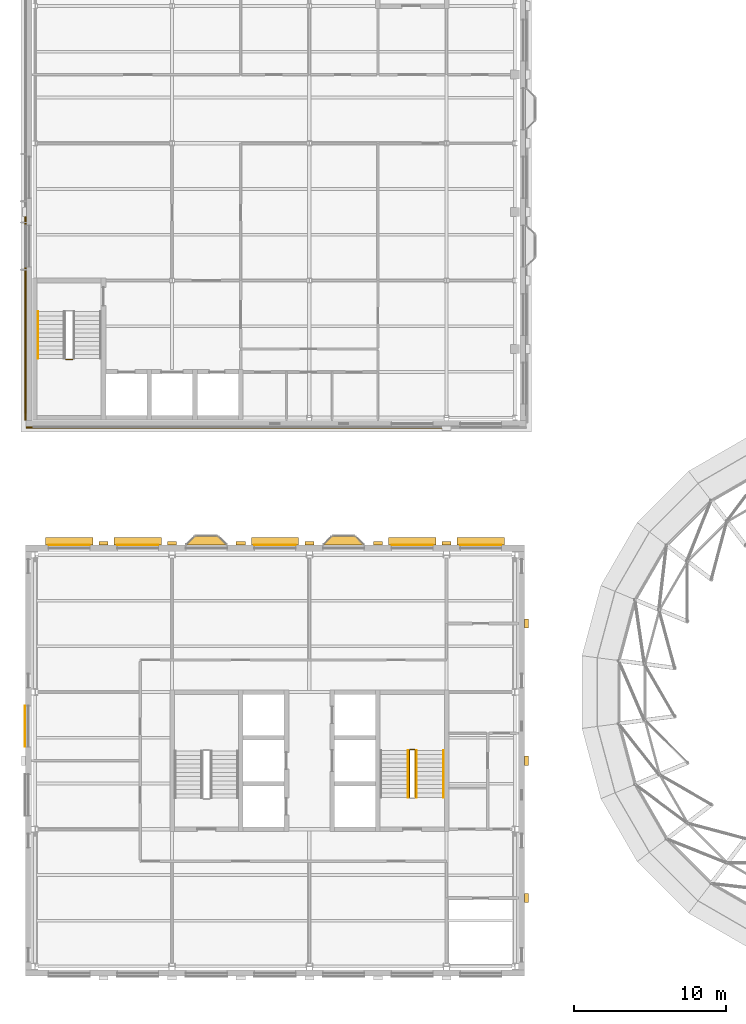
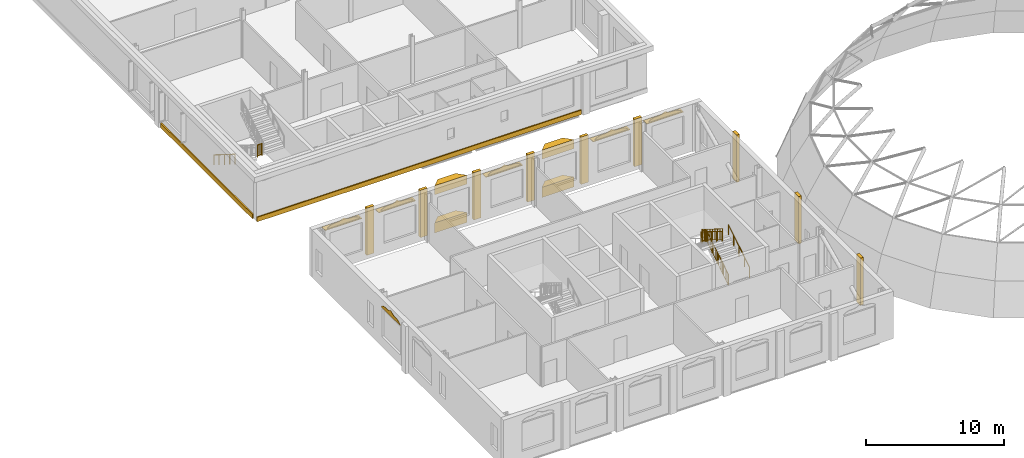
# One storey, part 59 of 62: 21 coverings, 8 railings, 5 shading devices.
"""IFC4 building model written with IfcOpenShell, lengths in metres."""

import ifcopenshell
import ifcopenshell.guid

model = None  # the IFC model being written
_history = None  # IfcOwnerHistory: only IFC2X3 demands one
_inside = {}  # id of a spatial element -> (the spatial element, [elements in it])
_under = {}  # id of a project, library or spatial element -> (it, [spatial elements below it])
_declared = {}  # id of a project -> (the project, [libraries it declares])
_typed = {}  # id of a type object -> (the type object, [elements of that type])
_made_of = {}  # id of a material, layer set ... -> (it, [elements and type objects made of it])


def new_model(schema):
    """Start an empty IFC model of exactly this schema.

    Asked for "IFC4X3", IfcOpenShell would pick the latest addendum, in which some entities
    have other attributes; the version numbers below select the first issue.
    IFC2X3 requires an IfcOwnerHistory on every rooted entity: one is made here for all.
    """
    global model, _history
    if schema == "IFC4X3":
        model = ifcopenshell.file(schema_version=(4, 3, 0, 0))
    else:
        model = ifcopenshell.file(schema=schema)
    _inside.clear()
    _under.clear()
    _declared.clear()
    _typed.clear()
    _made_of.clear()
    _history = None
    if model.schema == "IFC2X3":
        org = make("IfcOrganization", Name="unknown")
        user = make(
            "IfcPersonAndOrganization",
            ThePerson=make("IfcPerson", FamilyName="unknown"),
            TheOrganization=org,
        )
        app = make(
            "IfcApplication",
            ApplicationDeveloper=org,
            Version="unknown",
            ApplicationFullName="unknown",
            ApplicationIdentifier="unknown",
        )
        _history = make(
            "IfcOwnerHistory",
            OwningUser=user,
            OwningApplication=app,
            ChangeAction="ADDED",
            CreationDate=0,
        )
    return model


def make(cls, **values):
    """One entity of the class cls with the attributes given. An attribute that is None is left unset."""
    return model.create_entity(
        cls, **{name: value for name, value in values.items() if value is not None}
    )


def rooted(cls, **values):
    """An entity with a GlobalId (a new one), such as an element, a storey or a relation."""
    return make(cls, GlobalId=ifcopenshell.guid.new(), OwnerHistory=_history, **values)


def si_unit(unit_type, name, prefix=None):
    """IfcSIUnit, for example si_unit("LENGTHUNIT", "METRE", prefix="MILLI")."""
    return make("IfcSIUnit", UnitType=unit_type, Prefix=prefix, Name=name)


def assignment(units):
    """IfcUnitAssignment: the units of a project."""
    return None if units is None else make("IfcUnitAssignment", Units=units)


def point(xyz):
    """IfcCartesianPoint."""
    return None if xyz is None else make("IfcCartesianPoint", Coordinates=xyz)


def direction(xyz):
    """IfcDirection."""
    return None if xyz is None else make("IfcDirection", DirectionRatios=xyz)


def frame(location, z_axis=None, x_axis=None):
    """IfcAxis2Placement3D, a coordinate frame: its origin and axes. An axis left out is left unset."""
    return make(
        "IfcAxis2Placement3D",
        Location=point(location),
        Axis=direction(z_axis),
        RefDirection=direction(x_axis),
    )


def frame_2d(location, x_axis=None):
    """IfcAxis2Placement2D, a coordinate frame in the plane: its origin and x axis."""
    return make(
        "IfcAxis2Placement2D", Location=point(location), RefDirection=direction(x_axis)
    )


def origin():
    """The frame at (0, 0, 0) with its axes left unset."""
    return frame((0.0, 0.0, 0.0))


def origin_2d():
    """The frame at (0, 0) in the plane with its x axis left unset."""
    return frame_2d((0.0, 0.0))


def place(relative_to, where):
    """IfcLocalPlacement: puts the frame where relative to a parent placement (None: the world)."""
    return make(
        "IfcLocalPlacement", PlacementRelTo=relative_to, RelativePlacement=where
    )


def context(
    kind, dimensions, precision=None, world=None, true_north=None, identifier=None
):
    """IfcGeometricRepresentationContext, for example the 3D "Model" context."""
    return make(
        "IfcGeometricRepresentationContext",
        ContextIdentifier=identifier,
        ContextType=kind,
        CoordinateSpaceDimension=dimensions,
        Precision=precision,
        WorldCoordinateSystem=world,
        TrueNorth=true_north,
    )


def subcontext(parent, identifier, kind, view, scale=None):
    """IfcGeometricRepresentationSubContext, for example "Body" below "Model"."""
    return make(
        "IfcGeometricRepresentationSubContext",
        ContextIdentifier=identifier,
        ContextType=kind,
        ParentContext=parent,
        TargetScale=scale,
        TargetView=view,
    )


def project(units=None, contexts=None):
    """IfcProject with its units and contexts."""
    return rooted(
        "IfcProject",
        Name="project",
        RepresentationContexts=contexts,
        UnitsInContext=assignment(units),
    )


def spatial(cls, under=None, at=None, **own):
    """A site, building, storey or space (cls), placed at a placement, below another one or the project."""
    s = rooted(cls, ObjectPlacement=at, **own)
    if under is not None:
        _under.setdefault(under.id(), (under, []))[1].append(s)
    return s


def polyline(points):
    """IfcPolyline through the points."""
    return make("IfcPolyline", Points=[point(p) for p in points])


def profile(cls, at=None, kind="AREA", **sizes):
    """A parametric profile (cls). Its sizes go by their IFC names, for example OverallWidth=200.0."""
    return make(cls, ProfileType=kind, Position=at, **sizes)


def rectangle(**sizes):
    """IfcRectangleProfileDef."""
    return profile("IfcRectangleProfileDef", **sizes)


def circle(**sizes):
    """IfcCircleProfileDef."""
    return profile("IfcCircleProfileDef", **sizes)


def outline(outer, holes=None, kind="AREA"):
    """IfcArbitraryClosedProfileDef: a profile drawn as a closed curve; with holes, ...WithVoids."""
    if holes is None:
        return make("IfcArbitraryClosedProfileDef", ProfileType=kind, OuterCurve=outer)
    return make(
        "IfcArbitraryProfileDefWithVoids",
        ProfileType=kind,
        OuterCurve=outer,
        InnerCurves=holes,
    )


def extrude(swept, where, along, depth):
    """IfcExtrudedAreaSolid: the profile swept, set in the frame where, extruded along a direction by depth."""
    return make(
        "IfcExtrudedAreaSolid",
        SweptArea=swept,
        Position=where,
        ExtrudedDirection=direction(along),
        Depth=depth,
    )


def shape(context_of_items, identifier, shape_type, items):
    """IfcShapeRepresentation: the items that make up one representation, for example the "Body"."""
    return make(
        "IfcShapeRepresentation",
        ContextOfItems=context_of_items,
        RepresentationIdentifier=identifier,
        RepresentationType=shape_type,
        Items=items,
    )


def material(Name=None, Category=None):
    """IfcMaterial."""
    return make("IfcMaterial", Name=Name, Category=Category)


def layer(
    of_material, thickness, ventilated=None, Name=None, Category=None, Priority=None
):
    """IfcMaterialLayer: one layer of a wall or slab, of a material (None: an air gap)."""
    return make(
        "IfcMaterialLayer",
        Material=of_material,
        LayerThickness=thickness,
        IsVentilated=ventilated,
        Name=Name,
        Category=Category,
        Priority=Priority,
    )


def layer_set(layers, Name=None):
    """IfcMaterialLayerSet."""
    return make("IfcMaterialLayerSet", MaterialLayers=layers, LayerSetName=Name)


def made_of(thing, what):
    """Note that an element or type object is made of a material, layer set ...; save() writes the relation."""
    if what is not None:
        _made_of.setdefault(what.id(), (what, []))[1].append(thing)
    return thing


def type_object(cls, material=None, **own):
    """A type object (cls), such as IfcWallType, which elements share."""
    return made_of(rooted(cls, **own), material)


def element(
    cls,
    number,
    at=None,
    inside=None,
    cuts=None,
    type_object=None,
    material=None,
    context=None,
    identifier="Body",
    shape_type=None,
    held_by="IfcProductDefinitionShape",
    body=None,
    shapes=None,
    **own,
):
    """One element of the class cls, such as IfcWall. Its Tag is "e" and its number.

    at: its placement. inside: the storey or other place that contains it. cuts: it is an
    opening in that element (IfcRelVoidsElement). A single representation is given by context,
    identifier, shape_type and body (its items); several are given by shapes. held_by: the class
    of the entity that holds the representations. save() writes the other relations.
    """
    e = rooted(cls, Tag="e%d" % number, ObjectPlacement=at, **own)
    if body is not None:
        shapes = [shape(context, identifier, shape_type, body)]
    if shapes is not None:
        e.Representation = make(held_by, Representations=shapes)
    if inside is not None:
        _inside.setdefault(inside.id(), (inside, []))[1].append(e)
    if cuts is not None:
        rooted(
            "IfcRelVoidsElement", RelatingBuildingElement=cuts, RelatedOpeningElement=e
        )
    if type_object is not None:
        _typed.setdefault(type_object.id(), (type_object, []))[1].append(e)
    return made_of(e, material)


def aggregate(whole, parts):
    """IfcRelAggregates: a whole, such as a stair, and the parts it consists of."""
    return rooted("IfcRelAggregates", RelatingObject=whole, RelatedObjects=parts)


def save(model, path):
    """Write the relations noted so far, then the file.

    IfcRelAggregates (storeys below a building ...), IfcRelContainedInSpatialStructure (elements
    in a storey), IfcRelDefinesByType, IfcRelAssociatesMaterial and IfcRelDeclares: one each for
    every whole, place, type object, material and project.
    """
    for whole, parts in _under.values():
        aggregate(whole, parts)
    for where, things in _inside.values():
        rooted(
            "IfcRelContainedInSpatialStructure",
            RelatedElements=things,
            RelatingStructure=where,
        )
    for kind, things in _typed.values():
        rooted("IfcRelDefinesByType", RelatedObjects=things, RelatingType=kind)
    for what, things in _made_of.values():
        rooted("IfcRelAssociatesMaterial", RelatedObjects=things, RelatingMaterial=what)
    for by, libraries in _declared.values():
        rooted("IfcRelDeclares", RelatingContext=by, RelatedDefinitions=libraries)
    model.write(path)


model = new_model("IFC4")

# Units and contexts
model_context = context("Model", 3, precision=1e-05, world=origin(), true_north=direction((0.0, 1.0)))
body_context = subcontext(model_context, "Body", "Model", "MODEL_VIEW")
ifc_project = project(units=[si_unit("LENGTHUNIT", "METRE"), si_unit("AREAUNIT", "SQUARE_METRE"), si_unit("VOLUMEUNIT", "CUBIC_METRE"), si_unit("PLANEANGLEUNIT", "RADIAN"), si_unit("MASSUNIT", "GRAM", prefix="KILO")], contexts=[model_context])

# Site, building, storey
site_placement = place(None, origin())
site = spatial("IfcSite", under=ifc_project, at=site_placement, CompositionType="ELEMENT")
building_placement = place(site_placement, origin())
building = spatial("IfcBuilding", under=site, at=building_placement, Name="Hortulan Conservatory and Botanical Research Centre", CompositionType="ELEMENT")
storey_placement = place(building_placement, frame((0.0, 0.0, 15.0)))
storey = spatial("IfcBuildingStorey", under=building, at=storey_placement, Name="L03", CompositionType="ELEMENT", Elevation=15.0)

# Shading devices
ifc_material_1 = material(Name="Bronze-finished perforated aluminium", Category="aluminium")
ifc_layer_1 = layer(ifc_material_1, 0.06005859375)
ifc_layer_set_1 = layer_set([ifc_layer_1], Name="Catenary Hood 3100x500x60")
shading_device_type = type_object("IfcShadingDeviceType", Name="Catenary Hood 3100x500x60", PredefinedType="USERDEFINED", material=ifc_layer_set_1)
for number, where, z_axis, x_axis, name in (
    (1, (2.25, 27.885986328125, 3.409912109375), (0.0, 0.0, 1.0), (1.0, 0.0, 0.0), "Catenary hood"),
    (2, (6.75, 27.885986328125, 3.409912109375), (0.0, 0.0, 1.0), (1.0, 0.0, 0.0), "Catenary hood"),
    (3, (15.75, 27.885986328125, 3.409912109375), (0.0, 0.0, 1.0), (1.0, 0.0, 0.0), "Catenary hood"),
    (4, (24.75, 27.885986328125, 3.409912109375), (0.0, 0.0, 1.0), (1.0, 0.0, 0.0), "Catenary hood"),
    (5, (29.25, 27.885986328125, 3.409912109375), (0.0, 0.0, 1.0), (1.0, 0.0, 0.0), "Catenary hood"),
):
    element("IfcShadingDevice", number, at=place(storey_placement, frame(where, z_axis=z_axis, x_axis=x_axis)), inside=storey, type_object=shading_device_type, Name=name, ObjectType="Catenary hood", PredefinedType="USERDEFINED", context=body_context, shape_type="SweptSolid", body=[
        extrude(rectangle(XDim=3.10009765625, YDim=0.5, at=origin_2d()), origin(), (0.0, 0.0, 1.0), 0.06005859375),
    ])

# Coverings
ifc_material_2 = material(Name="Faience cladding, cream glaze (non-combustible)", Category="ceramic")
ifc_layer_2 = layer(ifc_material_2, 0.030029296875)
ifc_layer_set_2 = layer_set([ifc_layer_2], Name="Faience Ogee Head Panel Cream 2700x500")
covering_type_1 = type_object("IfcCoveringType", Name="Faience Ogee Head Panel Cream 2700x500", PredefinedType="CLADDING", material=ifc_layer_set_2)
covering_1_placement = place(storey_placement, frame((5.39990234375, 27.65087890625, 3.52001953125), z_axis=(0.0, 0.0, 1.0), x_axis=(1.0, 0.0, 0.0)))
element("IfcCovering", 6, at=covering_1_placement, inside=storey, type_object=covering_type_1, Name="Ogee head panel", PredefinedType="CLADDING", context=body_context, shape_type="SweptSolid", body=[
    extrude(outline(polyline([(0.0, 0.0), (2.699951171875, 0.0), (2.699951171875, 0.080078125), (2.58740234375, 0.148681640625), (2.47509765625, 0.208251953125), (2.362548828125, 0.252197265625), (2.25, 0.278076171875), (2.137451171875, 0.28857421875), (2.02490234375, 0.2900390625), (1.91259765625, 0.291259765625), (1.800048828125, 0.3017578125), (1.6875, 0.327880859375), (1.574951171875, 0.371826171875), (1.46240234375, 0.431396484375), (1.35009765625, 0.5), (1.237548828125, 0.431396484375), (1.125, 0.371826171875), (1.012451171875, 0.327880859375), (0.89990234375, 0.3017578125), (0.78759765625, 0.291259765625), (0.675048828125, 0.2900390625), (0.5625, 0.28857421875), (0.449951171875, 0.278076171875), (0.33740234375, 0.252197265625), (0.22509765625, 0.208251953125), (0.112548828125, 0.148681640625), (0.0, 0.080078125), (0.0, 0.0)])), frame((0.0, 0.01513671875, 0.0), z_axis=(0.0, -1.0, 0.0), x_axis=(1.0, 0.0, 0.0)), (0.0, 0.0, 1.0), 0.030029296875),
])
ifc_material_3 = material(Name="Faience cladding, waratah crimson glaze (non-combustible)", Category="ceramic")
ifc_layer_3 = layer(ifc_material_3, 0.030029296875)
ifc_layer_set_3 = layer_set([ifc_layer_3], Name="Faience Ogee Head Panel Crimson 2700x500")
covering_type_2 = type_object("IfcCoveringType", Name="Faience Ogee Head Panel Crimson 2700x500", PredefinedType="CLADDING", material=ifc_layer_set_3)
for number, where, z_axis, x_axis, name in (
    (7, (-0.639892578125, 14.39990234375, 3.52001953125), (0.0, 0.0, 1.0), (0.0, 1.0, 0.0), "Ogee head panel"),
    (8, (14.39990234375, 27.65087890625, 3.52001953125), (0.0, 0.0, 1.0), (1.0, 0.0, 0.0), "Ogee head panel"),
):
    element("IfcCovering", number, at=place(storey_placement, frame(where, z_axis=z_axis, x_axis=x_axis)), inside=storey, type_object=covering_type_2, Name=name, PredefinedType="CLADDING", context=body_context, shape_type="SweptSolid", body=[
        extrude(outline(polyline([(0.0, 0.0), (2.699951171875, 0.0), (2.699951171875, 0.080078125), (2.58740234375, 0.148681640625), (2.47509765625, 0.208251953125), (2.362548828125, 0.252197265625), (2.25, 0.278076171875), (2.137451171875, 0.28857421875), (2.02490234375, 0.2900390625), (1.91259765625, 0.291259765625), (1.800048828125, 0.3017578125), (1.6875, 0.327880859375), (1.574951171875, 0.371826171875), (1.46240234375, 0.431396484375), (1.35009765625, 0.5), (1.237548828125, 0.431396484375), (1.125, 0.371826171875), (1.012451171875, 0.327880859375), (0.89990234375, 0.3017578125), (0.78759765625, 0.291259765625), (0.675048828125, 0.2900390625), (0.5625, 0.28857421875), (0.449951171875, 0.278076171875), (0.33740234375, 0.252197265625), (0.22509765625, 0.208251953125), (0.112548828125, 0.148681640625), (0.0, 0.080078125), (0.0, 0.0)])), frame((0.0, 0.01513671875, 0.0), z_axis=(0.0, -1.0, 0.0), x_axis=(1.0, 0.0, 0.0)), (0.0, 0.0, 1.0), 0.030029296875),
    ])
ifc_material_4 = material(Name="Faience cladding, harbour teal glaze (non-combustible)", Category="ceramic")
ifc_layer_4 = layer(ifc_material_4, 0.030029296875)
ifc_layer_set_4 = layer_set([ifc_layer_4], Name="Faience Ogee Head Panel Teal 2700x500")
covering_type_3 = type_object("IfcCoveringType", Name="Faience Ogee Head Panel Teal 2700x500", PredefinedType="CLADDING", material=ifc_layer_set_4)
for number, where, z_axis, x_axis, name in (
    (9, (0.89990234375, 27.65087890625, 3.52001953125), (0.0, 0.0, 1.0), (1.0, 0.0, 0.0), "Ogee head panel"),
    (10, (23.39990234375, 27.65087890625, 3.52001953125), (0.0, 0.0, 1.0), (1.0, 0.0, 0.0), "Ogee head panel"),
    (11, (27.89990234375, 27.65087890625, 3.52001953125), (0.0, 0.0, 1.0), (1.0, 0.0, 0.0), "Ogee head panel"),
):
    element("IfcCovering", number, at=place(storey_placement, frame(where, z_axis=z_axis, x_axis=x_axis)), inside=storey, type_object=covering_type_3, Name=name, PredefinedType="CLADDING", context=body_context, shape_type="SweptSolid", body=[
        extrude(outline(polyline([(0.0, 0.0), (2.699951171875, 0.0), (2.699951171875, 0.080078125), (2.58740234375, 0.148681640625), (2.47509765625, 0.208251953125), (2.362548828125, 0.252197265625), (2.25, 0.278076171875), (2.137451171875, 0.28857421875), (2.02490234375, 0.2900390625), (1.91259765625, 0.291259765625), (1.800048828125, 0.3017578125), (1.6875, 0.327880859375), (1.574951171875, 0.371826171875), (1.46240234375, 0.431396484375), (1.35009765625, 0.5), (1.237548828125, 0.431396484375), (1.125, 0.371826171875), (1.012451171875, 0.327880859375), (0.89990234375, 0.3017578125), (0.78759765625, 0.291259765625), (0.675048828125, 0.2900390625), (0.5625, 0.28857421875), (0.449951171875, 0.278076171875), (0.33740234375, 0.252197265625), (0.22509765625, 0.208251953125), (0.112548828125, 0.148681640625), (0.0, 0.080078125), (0.0, 0.0)])), frame((0.0, 0.01513671875, 0.0), z_axis=(0.0, -1.0, 0.0), x_axis=(1.0, 0.0, 0.0)), (0.0, 0.0, 1.0), 0.030029296875),
    ])
ifc_material_5 = material(Name="Faience-faced brickwork masonry", Category="masonry")
covering_type_4 = type_object("IfcCoveringType", Name="Faience Oriel Base", PredefinedType="CLADDING", material=ifc_material_5)
covering_2_placement = place(storey_placement, origin())
element("IfcCovering", 12, at=covering_2_placement, inside=storey, type_object=covering_type_4, Name="Oriel base", PredefinedType="CLADDING", context=body_context, shape_type="SweptSolid", body=[
    extrude(outline(polyline([(9.89990234375, 27.635986328125), (10.5, 28.236083984375), (12.0, 28.236083984375), (12.60009765625, 27.635986328125), (9.89990234375, 27.635986328125)])), origin(), (0.0, 0.0, 1.0), 0.89990234375),
])
covering_3_placement = place(storey_placement, origin())
element("IfcCovering", 13, at=covering_3_placement, inside=storey, type_object=covering_type_4, Name="Oriel base", PredefinedType="CLADDING", context=body_context, shape_type="SweptSolid", body=[
    extrude(outline(polyline([(18.89990234375, 27.635986328125), (19.5, 28.236083984375), (21.0, 28.236083984375), (21.60009765625, 27.635986328125), (18.89990234375, 27.635986328125)])), origin(), (0.0, 0.0, 1.0), 0.89990234375),
])
covering_type_5 = type_object("IfcCoveringType", Name="Faience Oriel Frieze", PredefinedType="CLADDING", material=ifc_material_5)
covering_4_placement = place(storey_placement, frame((0.0, 0.0, 3.39990234375)))
element("IfcCovering", 14, at=covering_4_placement, inside=storey, type_object=covering_type_5, Name="Oriel frieze", PredefinedType="CLADDING", context=body_context, shape_type="SweptSolid", body=[
    extrude(outline(polyline([(9.89990234375, 27.635986328125), (10.5, 28.236083984375), (12.0, 28.236083984375), (12.60009765625, 27.635986328125), (9.89990234375, 27.635986328125)])), origin(), (0.0, 0.0, 1.0), 0.800048828125),
])
covering_5_placement = place(storey_placement, frame((0.0, 0.0, 3.39990234375)))
element("IfcCovering", 15, at=covering_5_placement, inside=storey, type_object=covering_type_5, Name="Oriel frieze", PredefinedType="CLADDING", context=body_context, shape_type="SweptSolid", body=[
    extrude(outline(polyline([(18.89990234375, 27.635986328125), (19.5, 28.236083984375), (21.0, 28.236083984375), (21.60009765625, 27.635986328125), (18.89990234375, 27.635986328125)])), origin(), (0.0, 0.0, 1.0), 0.800048828125),
])
ifc_layer_5 = layer(ifc_material_2, 0.25)
ifc_layer_set_5 = layer_set([ifc_layer_5], Name="Faience Pilaster 600x250")
covering_type_6 = type_object("IfcCoveringType", Name="Faience Pilaster 600x250", PredefinedType="CLADDING", material=ifc_layer_set_5)
for number, where, z_axis, x_axis, name in (
    (16, (4.5, 27.760986328125, 0.0), (0.0, 0.0, 1.0), (1.0, 0.0, 0.0), "Pier"),
    (17, (9.0, 27.760986328125, 0.0), (0.0, 0.0, 1.0), (1.0, 0.0, 0.0), "Pier"),
    (18, (13.5, 27.760986328125, 0.0), (0.0, 0.0, 1.0), (1.0, 0.0, 0.0), "Pier"),
    (19, (18.0, 27.760986328125, 0.0), (0.0, 0.0, 1.0), (1.0, 0.0, 0.0), "Pier"),
    (20, (22.5, 27.760986328125, 0.0), (0.0, 0.0, 1.0), (1.0, 0.0, 0.0), "Pier"),
    (21, (27.0, 27.760986328125, 0.0), (0.0, 0.0, 1.0), (1.0, 0.0, 0.0), "Pier"),
    (22, (32.25, 4.5, 0.0), (0.0, 0.0, 1.0), (0.0, 1.0, 0.0), "Pier"),
    (23, (32.25, 13.5, 0.0), (0.0, 0.0, 1.0), (0.0, 1.0, 0.0), "Pier"),
    (24, (32.25, 22.5, 0.0), (0.0, 0.0, 1.0), (0.0, 1.0, 0.0), "Pier"),
):
    element("IfcCovering", number, at=place(storey_placement, frame(where, z_axis=z_axis, x_axis=x_axis)), inside=storey, type_object=covering_type_6, Name=name, PredefinedType="CLADDING", context=body_context, shape_type="SweptSolid", body=[
        extrude(rectangle(XDim=0.60009765625, YDim=0.25, at=origin_2d()), origin(), (0.0, 0.0, 1.0), 4.199951171875),
    ])
ifc_layer_6 = layer(ifc_material_3, 0.10009765625)
ifc_layer_set_6 = layer_set([ifc_layer_6], Name="Faience String Course 400x100 Crimson")
covering_type_7 = type_object("IfcCoveringType", Name="Faience String Course 400x100 Crimson", PredefinedType="CLADDING", material=ifc_layer_set_6)
covering_6_placement = place(storey_placement, frame((13.05029296875, 35.364501953125, 0.0), z_axis=(0.0, 0.0, 1.0), x_axis=(-1.0, 0.0, 0.0)))
element("IfcCovering", 25, at=covering_6_placement, inside=storey, type_object=covering_type_7, Name="String course", PredefinedType="CLADDING", context=body_context, shape_type="SweptSolid", body=[
    extrude(rectangle(XDim=27.259521484375, YDim=0.10009765625, at=origin_2d()), origin(), (0.0, 0.0, 1.0), 0.39990234375),
])
covering_7_placement = place(storey_placement, frame((-0.62939453125, 42.500244140625, 0.0), z_axis=(0.0, 0.0, 1.0), x_axis=(0.0, 1.0, 0.0)))
element("IfcCovering", 26, at=covering_7_placement, inside=storey, type_object=covering_type_7, Name="String course", PredefinedType="CLADDING", context=body_context, shape_type="SweptSolid", body=[
    extrude(rectangle(XDim=13.359619140625, YDim=0.10009765625, at=origin_2d()), origin(), (0.0, 0.0, 1.0), 0.39990234375),
])

# Railings
ifc_material_6 = material(Name="Steel balustrade, bronze-charcoal paint", Category="steel")
railing_type_1 = type_object("IfcRailingType", Name="Stair Guard 1100", PredefinedType="GUARDRAIL", material=ifc_material_6)
railing_1_placement = place(storey_placement, frame((24.949951171875, 11.10009765625, 0.175048828125)))
element("IfcRailing", 27, at=railing_1_placement, inside=storey, type_object=railing_type_1, Name="Guard T2 L03 stair 1", PredefinedType="GUARDRAIL", context=body_context, shape_type="SweptSolid", body=[
    extrude(circle(Radius=0.02392578125, at=origin_2d()), frame((0.0, 0.0, 1.076171875), z_axis=(0.0, 0.847979421464, 0.530029150871), x_axis=(-1.0, 0.0, 0.0)), (0.0, 0.0, 1.0), 3.632080078125),
    extrude(circle(Radius=0.02392578125, at=origin_2d()), frame((0.0, 0.0, 0.1240234375), z_axis=(0.0, 0.847979421464, 0.530029150871), x_axis=(-1.0, 0.0, 0.0)), (0.0, 0.0, 1.0), 3.632080078125),
    extrude(circle(Radius=0.008056640625, at=origin_2d()), frame((0.0, 0.090576171875, 0.204833984375)), (0.0, 0.0, 1.0), 0.90380859375),
    extrude(circle(Radius=0.008056640625, at=origin_2d()), frame((0.0, 0.18115234375, 0.261474609375)), (0.0, 0.0, 1.0), 0.90380859375),
    extrude(circle(Radius=0.008056640625, at=origin_2d()), frame((0.0, 0.271728515625, 0.318115234375)), (0.0, 0.0, 1.0), 0.90380859375),
    extrude(circle(Radius=0.008056640625, at=origin_2d()), frame((0.0, 0.3623046875, 0.374755859375)), (0.0, 0.0, 1.0), 0.90380859375),
    extrude(circle(Radius=0.008056640625, at=origin_2d()), frame((0.0, 0.452880859375, 0.431396484375)), (0.0, 0.0, 1.0), 0.90380859375),
    extrude(circle(Radius=0.008056640625, at=origin_2d()), frame((0.0, 0.54345703125, 0.48779296875)), (0.0, 0.0, 1.0), 0.90380859375),
    extrude(circle(Radius=0.008056640625, at=origin_2d()), frame((0.0, 0.634033203125, 0.54443359375)), (0.0, 0.0, 1.0), 0.90380859375),
    extrude(circle(Radius=0.008056640625, at=origin_2d()), frame((0.0, 0.724609375, 0.60107421875)), (0.0, 0.0, 1.0), 0.90380859375),
    extrude(circle(Radius=0.008056640625, at=origin_2d()), frame((0.0, 0.815185546875, 0.65771484375)), (0.0, 0.0, 1.0), 0.90380859375),
    extrude(circle(Radius=0.008056640625, at=origin_2d()), frame((0.0, 0.90576171875, 0.71435546875)), (0.0, 0.0, 1.0), 0.90380859375),
    extrude(circle(Radius=0.008056640625, at=origin_2d()), frame((0.0, 0.996337890625, 0.77099609375)), (0.0, 0.0, 1.0), 0.90380859375),
    extrude(circle(Radius=0.008056640625, at=origin_2d()), frame((0.0, 1.0869140625, 0.82763671875)), (0.0, 0.0, 1.0), 0.90380859375),
    extrude(circle(Radius=0.008056640625, at=origin_2d()), frame((0.0, 1.177490234375, 0.88427734375)), (0.0, 0.0, 1.0), 0.90380859375),
    extrude(circle(Radius=0.008056640625, at=origin_2d()), frame((0.0, 1.26806640625, 0.94091796875)), (0.0, 0.0, 1.0), 0.90380859375),
    extrude(circle(Radius=0.008056640625, at=origin_2d()), frame((0.0, 1.358642578125, 0.99755859375)), (0.0, 0.0, 1.0), 0.90380859375),
    extrude(circle(Radius=0.008056640625, at=origin_2d()), frame((0.0, 1.44921875, 1.05419921875)), (0.0, 0.0, 1.0), 0.90380859375),
    extrude(circle(Radius=0.008056640625, at=origin_2d()), frame((0.0, 1.5400390625, 1.11083984375)), (0.0, 0.0, 1.0), 0.90380859375),
    extrude(circle(Radius=0.008056640625, at=origin_2d()), frame((0.0, 1.630615234375, 1.167236328125)), (0.0, 0.0, 1.0), 0.90380859375),
    extrude(circle(Radius=0.008056640625, at=origin_2d()), frame((0.0, 1.72119140625, 1.223876953125)), (0.0, 0.0, 1.0), 0.90380859375),
    extrude(circle(Radius=0.008056640625, at=origin_2d()), frame((0.0, 1.811767578125, 1.280517578125)), (0.0, 0.0, 1.0), 0.90380859375),
    extrude(circle(Radius=0.008056640625, at=origin_2d()), frame((0.0, 1.90234375, 1.337158203125)), (0.0, 0.0, 1.0), 0.90380859375),
    extrude(circle(Radius=0.008056640625, at=origin_2d()), frame((0.0, 1.992919921875, 1.393798828125)), (0.0, 0.0, 1.0), 0.90380859375),
    extrude(circle(Radius=0.008056640625, at=origin_2d()), frame((0.0, 2.08349609375, 1.450439453125)), (0.0, 0.0, 1.0), 0.90380859375),
    extrude(circle(Radius=0.008056640625, at=origin_2d()), frame((0.0, 2.174072265625, 1.507080078125)), (0.0, 0.0, 1.0), 0.90380859375),
    extrude(circle(Radius=0.008056640625, at=origin_2d()), frame((0.0, 2.2646484375, 1.563720703125)), (0.0, 0.0, 1.0), 0.90380859375),
    extrude(circle(Radius=0.008056640625, at=origin_2d()), frame((0.0, 2.355224609375, 1.620361328125)), (0.0, 0.0, 1.0), 0.90380859375),
    extrude(circle(Radius=0.008056640625, at=origin_2d()), frame((0.0, 2.44580078125, 1.677001953125)), (0.0, 0.0, 1.0), 0.90380859375),
    extrude(circle(Radius=0.008056640625, at=origin_2d()), frame((0.0, 2.536376953125, 1.733642578125)), (0.0, 0.0, 1.0), 0.90380859375),
    extrude(circle(Radius=0.008056640625, at=origin_2d()), frame((0.0, 2.626953125, 1.7900390625)), (0.0, 0.0, 1.0), 0.90380859375),
    extrude(circle(Radius=0.008056640625, at=origin_2d()), frame((0.0, 2.717529296875, 1.8466796875)), (0.0, 0.0, 1.0), 0.90380859375),
    extrude(circle(Radius=0.008056640625, at=origin_2d()), frame((0.0, 2.80810546875, 1.9033203125)), (0.0, 0.0, 1.0), 0.90380859375),
    extrude(circle(Radius=0.008056640625, at=origin_2d()), frame((0.0, 2.898681640625, 1.9599609375)), (0.0, 0.0, 1.0), 0.90380859375),
    extrude(circle(Radius=0.008056640625, at=origin_2d()), frame((0.0, 2.9892578125, 2.0166015625)), (0.0, 0.0, 1.0), 0.90380859375),
    extrude(circle(Radius=0.02099609375, at=origin_2d()), origin(), (0.0, 0.0, 1.0), 1.052001953125),
    extrude(circle(Radius=0.02099609375, at=origin_2d()), frame((0.0, 0.77001953125, 0.481201171875)), (0.0, 0.0, 1.0), 1.052001953125),
    extrude(circle(Radius=0.02099609375, at=origin_2d()), frame((0.0, 1.5400390625, 0.96240234375)), (0.0, 0.0, 1.0), 1.052001953125),
    extrude(circle(Radius=0.02099609375, at=origin_2d()), frame((0.0, 2.309814453125, 1.44384765625)), (0.0, 0.0, 1.0), 1.052001953125),
    extrude(circle(Radius=0.02099609375, at=origin_2d()), frame((0.0, 3.079833984375, 1.925048828125)), (0.0, 0.0, 1.0), 1.052001953125),
])
railing_2_placement = place(storey_placement, frame((24.89990234375, 14.22998046875, 2.10009765625)))
element("IfcRailing", 28, at=railing_2_placement, inside=storey, type_object=railing_type_1, Name="Guard T2 L03 stair 2", PredefinedType="GUARDRAIL", context=body_context, shape_type="SweptSolid", body=[
    extrude(circle(Radius=0.02392578125, at=origin_2d()), frame((0.0, 0.0, 1.076171875), z_axis=(-1.0, 0.0, 0.0), x_axis=(0.0, -1.0, 0.0)), (0.0, 0.0, 1.0), 0.2998046875),
    extrude(circle(Radius=0.02392578125, at=origin_2d()), frame((0.0, 0.0, 0.1240234375), z_axis=(-1.0, 0.0, 0.0), x_axis=(0.0, -1.0, 0.0)), (0.0, 0.0, 1.0), 0.2998046875),
    extrude(circle(Radius=0.008056640625, at=origin_2d()), frame((-0.099853515625, 0.0, 0.148193359375)), (0.0, 0.0, 1.0), 0.90380859375),
    extrude(circle(Radius=0.008056640625, at=origin_2d()), frame((-0.199951171875, 0.0, 0.148193359375)), (0.0, 0.0, 1.0), 0.90380859375),
    extrude(circle(Radius=0.02099609375, at=origin_2d()), origin(), (0.0, 0.0, 1.0), 1.052001953125),
    extrude(circle(Radius=0.02099609375, at=origin_2d()), frame((-0.2998046875, 0.0, 0.0)), (0.0, 0.0, 1.0), 1.052001953125),
])
railing_3_placement = place(storey_placement, frame((24.550048828125, 14.179931640625, 2.27490234375)))
element("IfcRailing", 29, at=railing_3_placement, inside=storey, type_object=railing_type_1, Name="Guard T2 L03 stair 3", PredefinedType="GUARDRAIL", context=body_context, shape_type="SweptSolid", body=[
    extrude(circle(Radius=0.02392578125, at=origin_2d()), frame((0.0, 0.0, 1.076171875), z_axis=(0.0, -0.847979421464, 0.530029150871), x_axis=(1.0, 0.0, 0.0)), (0.0, 0.0, 1.0), 3.632080078125),
    extrude(circle(Radius=0.02392578125, at=origin_2d()), frame((0.0, 0.0, 0.1240234375), z_axis=(0.0, -0.847979421464, 0.530029150871), x_axis=(1.0, 0.0, 0.0)), (0.0, 0.0, 1.0), 3.632080078125),
    extrude(circle(Radius=0.008056640625, at=origin_2d()), frame((0.0, -0.090576171875, 0.204833984375)), (0.0, 0.0, 1.0), 0.90380859375),
    extrude(circle(Radius=0.008056640625, at=origin_2d()), frame((0.0, -0.18115234375, 0.261474609375)), (0.0, 0.0, 1.0), 0.90380859375),
    extrude(circle(Radius=0.008056640625, at=origin_2d()), frame((0.0, -0.271728515625, 0.318115234375)), (0.0, 0.0, 1.0), 0.90380859375),
    extrude(circle(Radius=0.008056640625, at=origin_2d()), frame((0.0, -0.3623046875, 0.374755859375)), (0.0, 0.0, 1.0), 0.90380859375),
    extrude(circle(Radius=0.008056640625, at=origin_2d()), frame((0.0, -0.452880859375, 0.431396484375)), (0.0, 0.0, 1.0), 0.90380859375),
    extrude(circle(Radius=0.008056640625, at=origin_2d()), frame((0.0, -0.54345703125, 0.48779296875)), (0.0, 0.0, 1.0), 0.90380859375),
    extrude(circle(Radius=0.008056640625, at=origin_2d()), frame((0.0, -0.634033203125, 0.54443359375)), (0.0, 0.0, 1.0), 0.90380859375),
    extrude(circle(Radius=0.008056640625, at=origin_2d()), frame((0.0, -0.724609375, 0.60107421875)), (0.0, 0.0, 1.0), 0.90380859375),
    extrude(circle(Radius=0.008056640625, at=origin_2d()), frame((0.0, -0.815185546875, 0.65771484375)), (0.0, 0.0, 1.0), 0.90380859375),
    extrude(circle(Radius=0.008056640625, at=origin_2d()), frame((0.0, -0.90576171875, 0.71435546875)), (0.0, 0.0, 1.0), 0.90380859375),
    extrude(circle(Radius=0.008056640625, at=origin_2d()), frame((0.0, -0.996337890625, 0.77099609375)), (0.0, 0.0, 1.0), 0.90380859375),
    extrude(circle(Radius=0.008056640625, at=origin_2d()), frame((0.0, -1.0869140625, 0.82763671875)), (0.0, 0.0, 1.0), 0.90380859375),
    extrude(circle(Radius=0.008056640625, at=origin_2d()), frame((0.0, -1.177490234375, 0.88427734375)), (0.0, 0.0, 1.0), 0.90380859375),
    extrude(circle(Radius=0.008056640625, at=origin_2d()), frame((0.0, -1.26806640625, 0.94091796875)), (0.0, 0.0, 1.0), 0.90380859375),
    extrude(circle(Radius=0.008056640625, at=origin_2d()), frame((0.0, -1.358642578125, 0.99755859375)), (0.0, 0.0, 1.0), 0.90380859375),
    extrude(circle(Radius=0.008056640625, at=origin_2d()), frame((0.0, -1.44921875, 1.05419921875)), (0.0, 0.0, 1.0), 0.90380859375),
    extrude(circle(Radius=0.008056640625, at=origin_2d()), frame((0.0, -1.5400390625, 1.11083984375)), (0.0, 0.0, 1.0), 0.90380859375),
    extrude(circle(Radius=0.008056640625, at=origin_2d()), frame((0.0, -1.630615234375, 1.167236328125)), (0.0, 0.0, 1.0), 0.90380859375),
    extrude(circle(Radius=0.008056640625, at=origin_2d()), frame((0.0, -1.72119140625, 1.223876953125)), (0.0, 0.0, 1.0), 0.90380859375),
    extrude(circle(Radius=0.008056640625, at=origin_2d()), frame((0.0, -1.811767578125, 1.280517578125)), (0.0, 0.0, 1.0), 0.90380859375),
    extrude(circle(Radius=0.008056640625, at=origin_2d()), frame((0.0, -1.90234375, 1.337158203125)), (0.0, 0.0, 1.0), 0.90380859375),
    extrude(circle(Radius=0.008056640625, at=origin_2d()), frame((0.0, -1.992919921875, 1.393798828125)), (0.0, 0.0, 1.0), 0.90380859375),
    extrude(circle(Radius=0.008056640625, at=origin_2d()), frame((0.0, -2.08349609375, 1.450439453125)), (0.0, 0.0, 1.0), 0.90380859375),
    extrude(circle(Radius=0.008056640625, at=origin_2d()), frame((0.0, -2.174072265625, 1.507080078125)), (0.0, 0.0, 1.0), 0.90380859375),
    extrude(circle(Radius=0.008056640625, at=origin_2d()), frame((0.0, -2.2646484375, 1.563720703125)), (0.0, 0.0, 1.0), 0.90380859375),
    extrude(circle(Radius=0.008056640625, at=origin_2d()), frame((0.0, -2.355224609375, 1.620361328125)), (0.0, 0.0, 1.0), 0.90380859375),
    extrude(circle(Radius=0.008056640625, at=origin_2d()), frame((0.0, -2.44580078125, 1.677001953125)), (0.0, 0.0, 1.0), 0.90380859375),
    extrude(circle(Radius=0.008056640625, at=origin_2d()), frame((0.0, -2.536376953125, 1.733642578125)), (0.0, 0.0, 1.0), 0.90380859375),
    extrude(circle(Radius=0.008056640625, at=origin_2d()), frame((0.0, -2.626953125, 1.7900390625)), (0.0, 0.0, 1.0), 0.90380859375),
    extrude(circle(Radius=0.008056640625, at=origin_2d()), frame((0.0, -2.717529296875, 1.8466796875)), (0.0, 0.0, 1.0), 0.90380859375),
    extrude(circle(Radius=0.008056640625, at=origin_2d()), frame((0.0, -2.80810546875, 1.9033203125)), (0.0, 0.0, 1.0), 0.90380859375),
    extrude(circle(Radius=0.008056640625, at=origin_2d()), frame((0.0, -2.898681640625, 1.9599609375)), (0.0, 0.0, 1.0), 0.90380859375),
    extrude(circle(Radius=0.008056640625, at=origin_2d()), frame((0.0, -2.9892578125, 2.0166015625)), (0.0, 0.0, 1.0), 0.90380859375),
    extrude(circle(Radius=0.02099609375, at=origin_2d()), origin(), (0.0, 0.0, 1.0), 1.052001953125),
    extrude(circle(Radius=0.02099609375, at=origin_2d()), frame((0.0, -0.77001953125, 0.481201171875)), (0.0, 0.0, 1.0), 1.052001953125),
    extrude(circle(Radius=0.02099609375, at=origin_2d()), frame((0.0, -1.5400390625, 0.96240234375)), (0.0, 0.0, 1.0), 1.052001953125),
    extrude(circle(Radius=0.02099609375, at=origin_2d()), frame((0.0, -2.309814453125, 1.44384765625)), (0.0, 0.0, 1.0), 1.052001953125),
    extrude(circle(Radius=0.02099609375, at=origin_2d()), frame((0.0, -3.079833984375, 1.925048828125)), (0.0, 0.0, 1.0), 1.052001953125),
])
railing_4_placement = place(storey_placement, frame((2.050048828125, 39.820068359375, 2.10009765625)))
element("IfcRailing", 30, at=railing_4_placement, inside=storey, type_object=railing_type_1, Name="Guard V1 L03 stair 2", PredefinedType="GUARDRAIL", context=body_context, shape_type="SweptSolid", body=[
    extrude(circle(Radius=0.02392578125, at=origin_2d()), frame((0.0, 0.0, 1.076171875), z_axis=(1.0, 0.0, 0.0), x_axis=(0.0, 1.0, 0.0)), (0.0, 0.0, 1.0), 0.39990234375),
    extrude(circle(Radius=0.02392578125, at=origin_2d()), frame((0.0, 0.0, 0.1240234375), z_axis=(1.0, 0.0, 0.0), x_axis=(0.0, 1.0, 0.0)), (0.0, 0.0, 1.0), 0.39990234375),
    extrude(circle(Radius=0.008056640625, at=origin_2d()), frame((0.10009765625, 0.0, 0.148193359375)), (0.0, 0.0, 1.0), 0.90380859375),
    extrude(circle(Radius=0.008056640625, at=origin_2d()), frame((0.199951171875, 0.0, 0.148193359375)), (0.0, 0.0, 1.0), 0.90380859375),
    extrude(circle(Radius=0.008056640625, at=origin_2d()), frame((0.2998046875, 0.0, 0.148193359375)), (0.0, 0.0, 1.0), 0.90380859375),
    extrude(circle(Radius=0.02099609375, at=origin_2d()), origin(), (0.0, 0.0, 1.0), 1.052001953125),
    extrude(circle(Radius=0.02099609375, at=origin_2d()), frame((0.39990234375, 0.0, 0.0)), (0.0, 0.0, 1.0), 1.052001953125),
])
ifc_material_7 = material(Name="Bronze handrail, polished", Category="metal")
railing_type_2 = type_object("IfcRailingType", Name="Stair Handrail 900", PredefinedType="HANDRAIL", material=ifc_material_7)
for number, where, name in (
    (31, (26.800048828125, 11.10009765625, 0.175048828125), "Handrail T2 L03 stair 1"),
    (32, (25.02001953125, 11.10009765625, 0.175048828125), "Handrail T2 L03 stair 3"),
):
    element("IfcRailing", number, at=place(storey_placement, frame(where)), inside=storey, type_object=railing_type_2, Name=name, PredefinedType="HANDRAIL", context=body_context, shape_type="SweptSolid", body=[
        extrude(circle(Radius=0.02392578125, at=origin_2d()), frame((0.0, 0.0, 0.8759765625), z_axis=(0.0, 0.847979421464, 0.530029150871), x_axis=(-1.0, 0.0, 0.0)), (0.0, 0.0, 1.0), 3.632080078125),
        extrude(circle(Radius=0.02099609375, at=origin_2d()), origin(), (0.0, 0.0, 1.0), 0.851806640625),
        extrude(circle(Radius=0.02099609375, at=origin_2d()), frame((0.0, 0.77001953125, 0.481201171875)), (0.0, 0.0, 1.0), 0.851806640625),
        extrude(circle(Radius=0.02099609375, at=origin_2d()), frame((0.0, 1.5400390625, 0.96240234375)), (0.0, 0.0, 1.0), 0.851806640625),
        extrude(circle(Radius=0.02099609375, at=origin_2d()), frame((0.0, 2.309814453125, 1.44384765625)), (0.0, 0.0, 1.0), 0.851806640625),
        extrude(circle(Radius=0.02099609375, at=origin_2d()), frame((0.0, 3.079833984375, 1.925048828125)), (0.0, 0.0, 1.0), 0.851806640625),
    ])
for number, where, name in (
    (33, (24.47998046875, 14.179931640625, 2.27490234375), "Handrail T2 L03 stair 4"),
    (34, (0.199951171875, 42.949951171875, 0.175048828125), "Handrail V1 L03 stair 1"),
):
    element("IfcRailing", number, at=place(storey_placement, frame(where)), inside=storey, type_object=railing_type_2, Name=name, PredefinedType="HANDRAIL", context=body_context, shape_type="SweptSolid", body=[
        extrude(circle(Radius=0.02392578125, at=origin_2d()), frame((0.0, 0.0, 0.8759765625), z_axis=(0.0, -0.847979421464, 0.530029150871), x_axis=(1.0, 0.0, 0.0)), (0.0, 0.0, 1.0), 3.632080078125),
        extrude(circle(Radius=0.02099609375, at=origin_2d()), origin(), (0.0, 0.0, 1.0), 0.851806640625),
        extrude(circle(Radius=0.02099609375, at=origin_2d()), frame((0.0, -0.77001953125, 0.481201171875)), (0.0, 0.0, 1.0), 0.851806640625),
        extrude(circle(Radius=0.02099609375, at=origin_2d()), frame((0.0, -1.5400390625, 0.96240234375)), (0.0, 0.0, 1.0), 0.851806640625),
        extrude(circle(Radius=0.02099609375, at=origin_2d()), frame((0.0, -2.309814453125, 1.44384765625)), (0.0, 0.0, 1.0), 0.851806640625),
        extrude(circle(Radius=0.02099609375, at=origin_2d()), frame((0.0, -3.079833984375, 1.925048828125)), (0.0, 0.0, 1.0), 0.851806640625),
    ])

save(model, "model.ifc")
